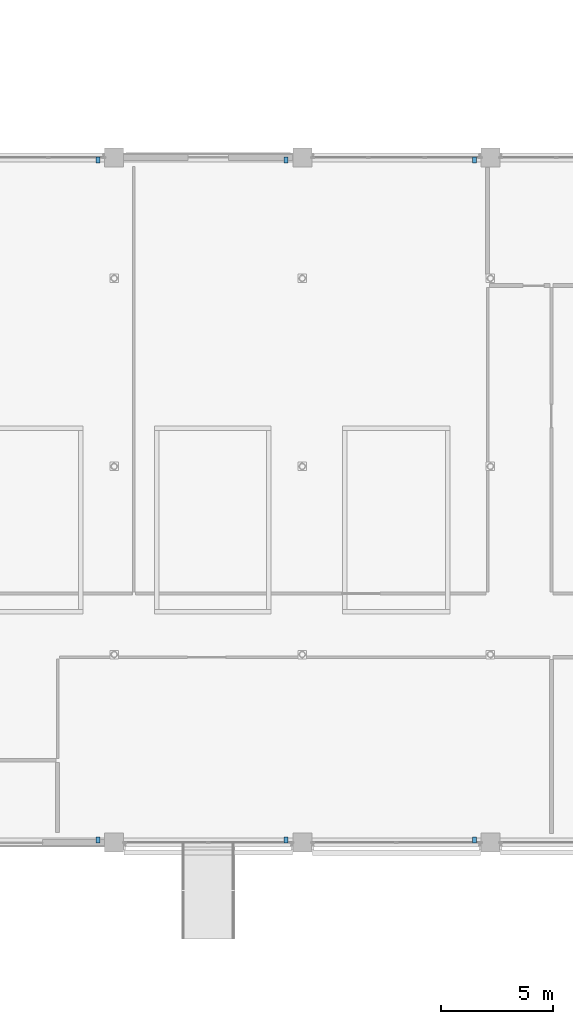
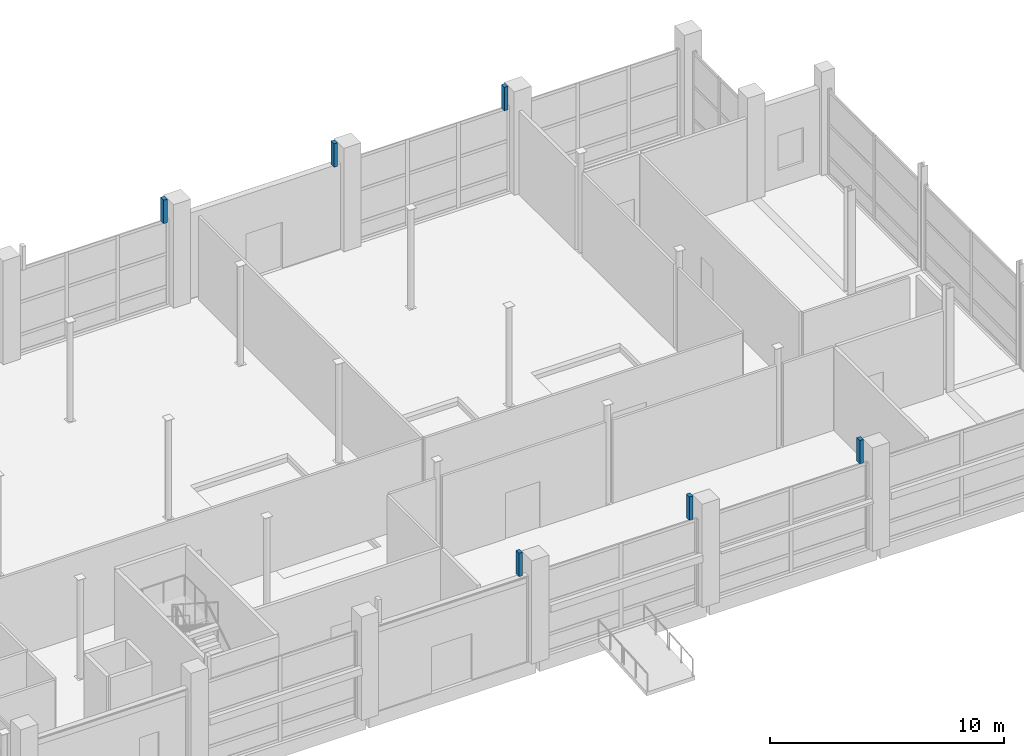
# One storey, part 69 of 140: 6 discrete accessories.
"""IFC4 building model written with IfcOpenShell, lengths in metres."""

from ifc_helpers import new_model, si_unit, direction, frame, origin, origin_2d, place, context, subcontext, project, spatial, rectangle, extrude, material, type_object, element, save


model = new_model("IFC4")

# Units and contexts
model_context = context("Model", 3, precision=1e-05, world=origin(), true_north=direction((0.0, 1.0)))
body_context = subcontext(model_context, "Body", "Model", "MODEL_VIEW")
ifc_project = project(units=[si_unit("LENGTHUNIT", "METRE"), si_unit("AREAUNIT", "SQUARE_METRE"), si_unit("VOLUMEUNIT", "CUBIC_METRE"), si_unit("PLANEANGLEUNIT", "RADIAN"), si_unit("MASSUNIT", "GRAM", prefix="KILO")], contexts=[model_context])

# Site, building, storey
site_placement = place(None, origin())
site = spatial("IfcSite", under=ifc_project, at=site_placement, CompositionType="ELEMENT")
building_placement = place(site_placement, origin())
building = spatial("IfcBuilding", under=site, at=building_placement, Name="Telukmera Botanical Conservatory", CompositionType="ELEMENT")
storey_placement = place(building_placement, origin())
storey = spatial("IfcBuildingStorey", under=building, at=storey_placement, Name="L00", CompositionType="ELEMENT", Elevation=0.0)

# Discrete accessories
ifc_material = material(Name="Steel S355", Category="steel")
discrete_accessory_type = type_object("IfcDiscreteAccessoryType", Name="Structural Steel Gridshell Glazing Shoe Bracket", PredefinedType="BRACKET", material=ifc_material)
for number, where, z_axis, x_axis, name in (
    (1, (142.080078125, 17.719970703125, 4.43994140625), (0.0, 0.0, 1.0), (1.0, 0.0, 0.0), "Conservatory Eave Glazing Shoe Bracket 06-00"),
    (2, (142.080078125, 48.080078125, 4.43994140625), (0.0, 0.0, 1.0), (1.0, 0.0, 0.0), "Conservatory Eave Glazing Shoe Bracket 06-12"),
    (3, (150.47998046875, 17.719970703125, 4.43994140625), (0.0, 0.0, 1.0), (1.0, 0.0, 0.0), "Conservatory Eave Glazing Shoe Bracket 08-00"),
    (4, (150.47998046875, 48.080078125, 4.43994140625), (0.0, 0.0, 1.0), (1.0, 0.0, 0.0), "Conservatory Eave Glazing Shoe Bracket 08-12"),
    (5, (158.8798828125, 17.719970703125, 4.43994140625), (0.0, 0.0, 1.0), (1.0, 0.0, 0.0), "Conservatory Eave Glazing Shoe Bracket 10-00"),
    (6, (158.8798828125, 48.080078125, 4.43994140625), (0.0, 0.0, 1.0), (1.0, 0.0, 0.0), "Conservatory Eave Glazing Shoe Bracket 10-12"),
):
    element("IfcDiscreteAccessory", number, at=place(storey_placement, frame(where, z_axis=z_axis, x_axis=x_axis)), inside=storey, type_object=discrete_accessory_type, Name=name, PredefinedType="BRACKET", context=body_context, shape_type="SweptSolid", body=[
        extrude(rectangle(XDim=0.179931640625, YDim=0.260009765625, at=origin_2d()), origin(), (0.0, 0.0, 1.0), 1.22509765625),
    ])

save(model, "model.ifc")
